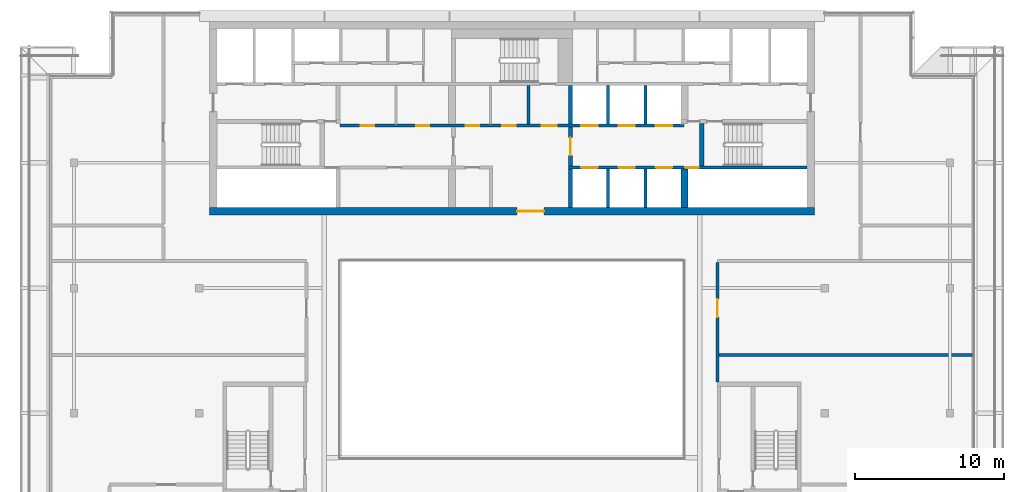
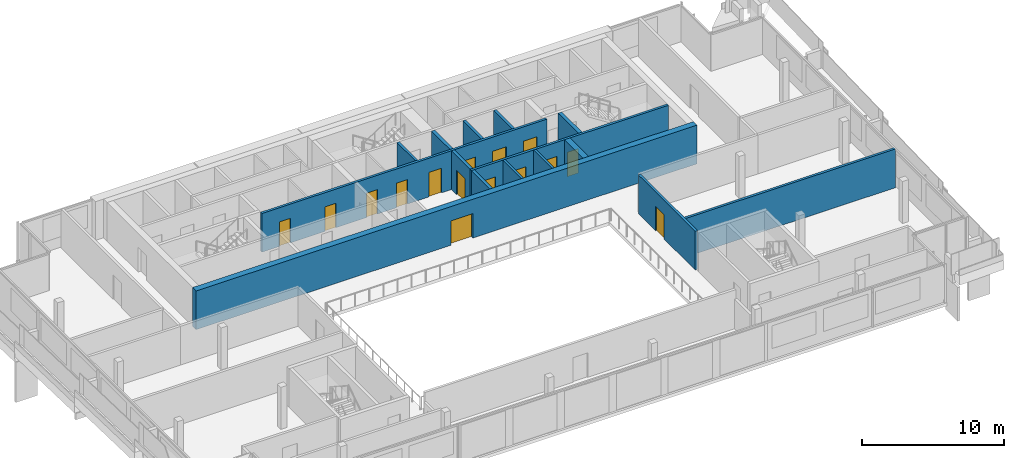
# One storey, part 12 of 20: 15 doors, 15 walls, 15 openings.
"""IFC4 building model written with IfcOpenShell, lengths in metres."""

from ifc_helpers import new_model, si_unit, direction, frame, frame_2d, origin, place, context, subcontext, project, spatial, rectangle, extrude, material, layer, layer_set, type_object, element, fill, save


model = new_model("IFC4")

# Units and contexts
model_context = context("Model", 3, precision=1e-05, world=origin(), true_north=direction((0.0, 1.0)))
body_context = subcontext(model_context, "Body", "Model", "MODEL_VIEW")
ifc_project = project(units=[si_unit("LENGTHUNIT", "METRE"), si_unit("AREAUNIT", "SQUARE_METRE"), si_unit("VOLUMEUNIT", "CUBIC_METRE"), si_unit("PLANEANGLEUNIT", "RADIAN"), si_unit("MASSUNIT", "GRAM", prefix="KILO")], contexts=[model_context])

# Site, building, storey
site_placement = place(None, origin())
site = spatial("IfcSite", under=ifc_project, at=site_placement, CompositionType="ELEMENT")
building_placement = place(site_placement, origin())
building = spatial("IfcBuilding", under=site, at=building_placement, Name="Saffron Gate Tower", CompositionType="ELEMENT")
storey_placement = place(building_placement, frame((0.0, 0.0, 303.14990234375)))
storey = spatial("IfcBuildingStorey", under=building, at=storey_placement, Name="L74", CompositionType="ELEMENT", Elevation=303.14990234375)

# Wall
ifc_material_1 = material(Name="Gypsum board partition on steel studs", Category="steel")
ifc_layer_1 = layer(ifc_material_1, 0.199951171875)
ifc_layer_set_1 = layer_set([ifc_layer_1], Name="CW10 Core partition 200")
wall_type_1 = type_object("IfcWallType", Name="CW10 Core partition 200", PredefinedType="PARTITIONING", material=ifc_layer_set_1)
wall_1_placement = place(storey_placement, frame((88.699951171875, 68.0, 0.0), z_axis=(0.0, 0.0, 1.0), x_axis=(0.0, 1.0, 0.0)))
element("IfcWall", 1, at=wall_1_placement, inside=storey, type_object=wall_type_1, Name="Wall CW10-L74-22", PredefinedType="PARTITIONING", context=body_context, shape_type="SweptSolid", body=[
    extrude(rectangle(XDim=2.60009765625, YDim=0.199951171875, at=frame_2d((1.300048828125, 0.0))), origin(), (0.0, 0.0, 1.0), 3.320068359375),
])

# Wall, opening, door
ifc_material_2 = material(Name="Concrete C50", Category="concrete")
ifc_layer_2 = layer(ifc_material_2, 0.5)
ifc_layer_set_2 = layer_set([ifc_layer_2], Name="CW22 RC core wall 500 C50")
wall_type_2 = type_object("IfcWallType", Name="CW22 RC core wall 500 C50", PredefinedType="SOLIDWALL", material=ifc_layer_set_2)
wall_2_placement = place(storey_placement, frame((67.300048828125, 62.14990234375, 0.0), z_axis=(0.0, 0.0, 1.0), x_axis=(1.0, 0.0, 0.0)))
wall_2 = element("IfcWall", 2, at=wall_2_placement, inside=storey, type_object=wall_type_2, Name="Wall CW22-L74-1", PredefinedType="SOLIDWALL", context=body_context, shape_type="SweptSolid", body=[
    extrude(rectangle(XDim=40.599853515625, YDim=0.5, at=frame_2d((20.2998046875, 0.0))), origin(), (0.0, 0.0, 1.0), 3.320068359375),
])
opening_1_placement = place(wall_2_placement, frame((20.64990234375, 0.0, 0.0)))
opening_1 = element("IfcOpeningElement", 3, at=opening_1_placement, cuts=wall_2, Name="Opening CR-09", PredefinedType="OPENING", context=body_context, shape_type="SweptSolid", body=[
    extrude(rectangle(XDim=1.800048828125, YDim=2.10009765625, at=frame_2d((0.89990234375, 1.050048828125))), frame((0.0, 0.260009765625, 0.0), z_axis=(0.0, -1.0, 0.0), x_axis=(1.0, 0.0, 0.0)), (0.0, 0.0, 1.0), 0.52001953125),
])
ifc_material_3 = material(Name="Steel fire door set", Category="steel")
door_type_1 = type_object("IfcDoorType", Name="CD1 Core entrance door 1800x2100 EI 120", OperationType="NOTDEFINED", PredefinedType="DOOR", material=ifc_material_3)
door_1_placement = place(opening_1_placement, origin())
door_1 = element("IfcDoor", 4, at=door_1_placement, inside=storey, type_object=door_type_1, Name="DOOR CR-09", OperationType="DOUBLE_DOOR_SINGLE_SWING", OverallHeight=2.10009765625, OverallWidth=1.800048828125, PredefinedType="DOOR", context=body_context, shape_type="SweptSolid", body=[
    extrude(rectangle(XDim=1.800048828125, YDim=2.10009765625, at=frame_2d((0.89990234375, 1.050048828125))), frame((0.0, 0.02490234375, 0.0), z_axis=(0.0, -1.0, 0.0), x_axis=(1.0, 0.0, 0.0)), (0.0, 0.0, 1.0), 0.050048828125),
])
fill(opening_1, door_1)

# Wall
ifc_layer_3 = layer(ifc_material_2, 0.25)
ifc_layer_set_3 = layer_set([ifc_layer_3], Name="CW23 RC core wall 250 C50")
wall_type_3 = type_object("IfcWallType", Name="CW23 RC core wall 250 C50", PredefinedType="SOLIDWALL", material=ifc_layer_set_3)
wall_3_placement = place(storey_placement, frame((91.52490234375, 62.39990234375, 0.0), z_axis=(0.0, 0.0, 1.0), x_axis=(0.0, 1.0, 0.0)))
element("IfcWall", 5, at=wall_3_placement, inside=storey, type_object=wall_type_3, Name="Wall CW23-L74-8", PredefinedType="SOLIDWALL", context=body_context, shape_type="SweptSolid", body=[
    extrude(rectangle(XDim=2.60009765625, YDim=0.25, at=frame_2d((1.300048828125, 0.0))), origin(), (0.0, 0.0, 1.0), 3.320068359375),
])

# Wall, opening, door
wall_4_placement = place(storey_placement, frame((91.52490234375, 65.199951171875, 0.0), z_axis=(0.0, 0.0, 1.0), x_axis=(0.0, 1.0, 0.0)))
wall_4 = element("IfcWall", 6, at=wall_4_placement, inside=storey, type_object=wall_type_3, Name="Wall CW23-L74-16", PredefinedType="SOLIDWALL", context=body_context, shape_type="SweptSolid", body=[
    extrude(rectangle(XDim=2.60009765625, YDim=0.25, at=frame_2d((1.300048828125, 0.0))), origin(), (0.0, 0.0, 1.0), 3.320068359375),
])
opening_2_placement = place(wall_4_placement, frame((0.699951171875, 0.0, 0.0)))
opening_2 = element("IfcOpeningElement", 7, at=opening_2_placement, cuts=wall_4, Name="Opening CR-01", PredefinedType="OPENING", context=body_context, shape_type="SweptSolid", body=[
    extrude(rectangle(XDim=1.199951171875, YDim=2.10009765625, at=frame_2d((0.60009765625, 1.050048828125))), frame((0.0, 0.135009765625, 0.0), z_axis=(0.0, -1.0, 0.0), x_axis=(1.0, 0.0, 0.0)), (0.0, 0.0, 1.0), 0.27001953125),
])
door_type_2 = type_object("IfcDoorType", Name="CD3 Lobby door 1200x2100 EI 120", OperationType="NOTDEFINED", PredefinedType="DOOR", material=ifc_material_3)
door_2_placement = place(opening_2_placement, origin())
door_2 = element("IfcDoor", 8, at=door_2_placement, inside=storey, type_object=door_type_2, Name="DOOR CR-01", OperationType="SINGLE_SWING_RIGHT", OverallHeight=2.10009765625, OverallWidth=1.199951171875, PredefinedType="DOOR", context=body_context, shape_type="SweptSolid", body=[
    extrude(rectangle(XDim=1.199951171875, YDim=2.10009765625, at=frame_2d((0.60009765625, 1.050048828125))), frame((0.0, 0.02490234375, 0.0), z_axis=(0.0, -1.0, 0.0), x_axis=(1.0, 0.0, 0.0)), (0.0, 0.0, 1.0), 0.050048828125),
])
fill(opening_2, door_2)

# Walls
wall_5_placement = place(storey_placement, frame((91.52490234375, 68.0, 0.0), z_axis=(0.0, 0.0, 1.0), x_axis=(0.0, 1.0, 0.0)))
element("IfcWall", 9, at=wall_5_placement, inside=storey, type_object=wall_type_3, Name="Wall CW23-L74-23", PredefinedType="SOLIDWALL", context=body_context, shape_type="SweptSolid", body=[
    extrude(rectangle(XDim=2.60009765625, YDim=0.25, at=frame_2d((1.300048828125, 0.0))), origin(), (0.0, 0.0, 1.0), 3.320068359375),
])
ifc_layer_4 = layer(ifc_material_2, 0.449951171875)
ifc_layer_set_4 = layer_set([ifc_layer_4], Name="CW24 RC core wall 450 C50")
wall_type_4 = type_object("IfcWallType", Name="CW24 RC core wall 450 C50", PredefinedType="SOLIDWALL", material=ifc_layer_set_4)
wall_6_placement = place(storey_placement, frame((99.175048828125, 62.39990234375, 0.0), z_axis=(0.0, 0.0, 1.0), x_axis=(0.0, 1.0, 0.0)))
element("IfcWall", 10, at=wall_6_placement, inside=storey, type_object=wall_type_4, Name="Wall CW24-L74-11", PredefinedType="SOLIDWALL", context=body_context, shape_type="SweptSolid", body=[
    extrude(rectangle(XDim=2.60009765625, YDim=0.449951171875, at=frame_2d((1.300048828125, 0.0))), origin(), (0.0, 0.0, 1.0), 3.320068359375),
])
ifc_layer_5 = layer(ifc_material_2, 0.199951171875)
ifc_layer_set_5 = layer_set([ifc_layer_5], Name="CW25 RC core wall 200 C50")
wall_type_5 = type_object("IfcWallType", Name="CW25 RC core wall 200 C50", PredefinedType="SOLIDWALL", material=ifc_layer_set_5)
for number, where, z_axis, x_axis, name in (
    (11, (94.050048828125, 62.39990234375, 0.0), (0.0, 0.0, 1.0), (0.0, 1.0, 0.0), "Wall CW25-L74-9"),
    (12, (96.550048828125, 62.39990234375, 0.0), (0.0, 0.0, 1.0), (0.0, 1.0, 0.0), "Wall CW25-L74-10"),
):
    element("IfcWall", number, at=place(storey_placement, frame(where, z_axis=z_axis, x_axis=x_axis)), inside=storey, type_object=wall_type_5, Name=name, PredefinedType="SOLIDWALL", context=body_context, shape_type="SweptSolid", body=[
        extrude(rectangle(XDim=2.60009765625, YDim=0.199951171875, at=frame_2d((1.300048828125, 0.0))), origin(), (0.0, 0.0, 1.0), 3.320068359375),
    ])

# Wall, openings, doors
wall_7_placement = place(storey_placement, frame((91.39990234375, 65.10009765625, 0.0), z_axis=(0.0, 0.0, 1.0), x_axis=(1.0, 0.0, 0.0)))
wall_7 = element("IfcWall", 13, at=wall_7_placement, inside=storey, type_object=wall_type_5, Name="Wall CW25-L74-13", PredefinedType="SOLIDWALL", context=body_context, shape_type="SweptSolid", body=[
    extrude(rectangle(XDim=16.0, YDim=0.199951171875, at=frame_2d((8.0, 0.0))), origin(), (0.0, 0.0, 1.0), 3.320068359375),
])
opening_3_placement = place(wall_7_placement, frame((0.85009765625, 0.0, 0.0)))
opening_3 = element("IfcOpeningElement", 14, at=opening_3_placement, cuts=wall_7, Name="Opening LD-HR1", PredefinedType="OPENING", context=body_context, shape_type="SweptSolid", body=[
    extrude(rectangle(XDim=1.10009765625, YDim=2.10009765625, at=frame_2d((0.550048828125, 1.050048828125))), frame((0.0, 0.10986328125, 0.0), z_axis=(0.0, -1.0, 0.0), x_axis=(1.0, 0.0, 0.0)), (0.0, 0.0, 1.0), 0.219970703125),
])
opening_4_placement = place(wall_7_placement, frame((3.35009765625, 0.0, 0.0)))
opening_4 = element("IfcOpeningElement", 15, at=opening_4_placement, cuts=wall_7, Name="Opening LD-HR2", PredefinedType="OPENING", context=body_context, shape_type="SweptSolid", body=[
    extrude(rectangle(XDim=1.10009765625, YDim=2.10009765625, at=frame_2d((0.550048828125, 1.050048828125))), frame((0.0, 0.10986328125, 0.0), z_axis=(0.0, -1.0, 0.0), x_axis=(1.0, 0.0, 0.0)), (0.0, 0.0, 1.0), 0.219970703125),
])
opening_5_placement = place(wall_7_placement, frame((5.85009765625, 0.0, 0.0)))
opening_5 = element("IfcOpeningElement", 16, at=opening_5_placement, cuts=wall_7, Name="Opening LD-HR3", PredefinedType="OPENING", context=body_context, shape_type="SweptSolid", body=[
    extrude(rectangle(XDim=1.10009765625, YDim=2.10009765625, at=frame_2d((0.550048828125, 1.050048828125))), frame((0.0, 0.10986328125, 0.0), z_axis=(0.0, -1.0, 0.0), x_axis=(1.0, 0.0, 0.0)), (0.0, 0.0, 1.0), 0.219970703125),
])
opening_6_placement = place(wall_7_placement, frame((7.830078125, 0.0, 0.0)))
opening_6 = element("IfcOpeningElement", 17, at=opening_6_placement, cuts=wall_7, Name="Opening CR-48", PredefinedType="OPENING", context=body_context, shape_type="SweptSolid", body=[
    extrude(rectangle(XDim=0.89990234375, YDim=2.10009765625, at=frame_2d((0.449951171875, 1.050048828125))), frame((0.0, 0.10986328125, 0.0), z_axis=(0.0, -1.0, 0.0), x_axis=(1.0, 0.0, 0.0)), (0.0, 0.0, 1.0), 0.219970703125),
])
door_type_3 = type_object("IfcDoorType", Name="CD2 Riser door 900x2100 EI 60", OperationType="NOTDEFINED", PredefinedType="DOOR", material=ifc_material_3)
door_3_placement = place(opening_6_placement, origin())
door_3 = element("IfcDoor", 18, at=door_3_placement, inside=storey, type_object=door_type_3, Name="DOOR CR-48", OperationType="SINGLE_SWING_RIGHT", OverallHeight=2.10009765625, OverallWidth=0.89990234375, PredefinedType="DOOR", context=body_context, shape_type="SweptSolid", body=[
    extrude(rectangle(XDim=0.89990234375, YDim=2.10009765625, at=frame_2d((0.449951171875, 1.050048828125))), frame((0.0, 0.02490234375, 0.0), z_axis=(0.0, -1.0, 0.0), x_axis=(1.0, 0.0, 0.0)), (0.0, 0.0, 1.0), 0.050048828125),
])
fill(opening_6, door_3)
ifc_material_4 = material(Name="Stainless steel landing door", Category="steel")
door_type_4 = type_object("IfcDoorType", Name="LD Lift landing door 1100x2100 EI 120", OperationType="SLIDING_TO_LEFT", PredefinedType="DOOR", material=ifc_material_4)
door_4_placement = place(opening_3_placement, origin())
door_4 = element("IfcDoor", 19, at=door_4_placement, inside=storey, type_object=door_type_4, Name="LANDING DOOR LD-HR1", OperationType="SLIDING_TO_LEFT", OverallHeight=2.10009765625, OverallWidth=1.10009765625, PredefinedType="DOOR", context=body_context, shape_type="SweptSolid", body=[
    extrude(rectangle(XDim=1.10009765625, YDim=2.10009765625, at=frame_2d((0.550048828125, 1.050048828125))), frame((0.0, 0.02490234375, 0.0), z_axis=(0.0, -1.0, 0.0), x_axis=(1.0, 0.0, 0.0)), (0.0, 0.0, 1.0), 0.050048828125),
])
fill(opening_3, door_4)
door_5_placement = place(opening_4_placement, origin())
door_5 = element("IfcDoor", 20, at=door_5_placement, inside=storey, type_object=door_type_4, Name="LANDING DOOR LD-HR2", OperationType="SLIDING_TO_LEFT", OverallHeight=2.10009765625, OverallWidth=1.10009765625, PredefinedType="DOOR", context=body_context, shape_type="SweptSolid", body=[
    extrude(rectangle(XDim=1.10009765625, YDim=2.10009765625, at=frame_2d((0.550048828125, 1.050048828125))), frame((0.0, 0.02490234375, 0.0), z_axis=(0.0, -1.0, 0.0), x_axis=(1.0, 0.0, 0.0)), (0.0, 0.0, 1.0), 0.050048828125),
])
fill(opening_4, door_5)
door_6_placement = place(opening_5_placement, origin())
door_6 = element("IfcDoor", 21, at=door_6_placement, inside=storey, type_object=door_type_4, Name="LANDING DOOR LD-HR3", OperationType="SLIDING_TO_LEFT", OverallHeight=2.10009765625, OverallWidth=1.10009765625, PredefinedType="DOOR", context=body_context, shape_type="SweptSolid", body=[
    extrude(rectangle(XDim=1.10009765625, YDim=2.10009765625, at=frame_2d((0.550048828125, 1.050048828125))), frame((0.0, 0.02490234375, 0.0), z_axis=(0.0, -1.0, 0.0), x_axis=(1.0, 0.0, 0.0)), (0.0, 0.0, 1.0), 0.050048828125),
])
fill(opening_5, door_6)

wall_8_placement = place(storey_placement, frame((76.050048828125, 67.89990234375, 0.0), z_axis=(0.0, 0.0, 1.0), x_axis=(1.0, 0.0, 0.0)))
wall_8 = element("IfcWall", 22, at=wall_8_placement, inside=storey, type_object=wall_type_5, Name="Wall CW25-L74-18", PredefinedType="SOLIDWALL", context=body_context, shape_type="SweptSolid", body=[
    extrude(rectangle(XDim=23.099853515625, YDim=0.199951171875, at=frame_2d((11.5498046875, 0.0))), origin(), (0.0, 0.0, 1.0), 3.320068359375),
])
opening_7_placement = place(wall_8_placement, frame((1.39990234375, 0.0, 0.0)))
opening_7 = element("IfcOpeningElement", 23, at=opening_7_placement, cuts=wall_8, Name="Opening CR-61", PredefinedType="OPENING", context=body_context, shape_type="SweptSolid", body=[
    extrude(rectangle(XDim=0.89990234375, YDim=2.10009765625, at=frame_2d((0.449951171875, 1.050048828125))), frame((0.0, 0.10986328125, 0.0), z_axis=(0.0, -1.0, 0.0), x_axis=(1.0, 0.0, 0.0)), (0.0, 0.0, 1.0), 0.219970703125),
])
opening_8_placement = place(wall_8_placement, frame((5.110107421875, 0.0, 0.0)))
opening_8 = element("IfcOpeningElement", 24, at=opening_8_placement, cuts=wall_8, Name="Opening CR-62", PredefinedType="OPENING", context=body_context, shape_type="SweptSolid", body=[
    extrude(rectangle(XDim=0.89990234375, YDim=2.10009765625, at=frame_2d((0.449951171875, 1.050048828125))), frame((0.0, 0.10986328125, 0.0), z_axis=(0.0, -1.0, 0.0), x_axis=(1.0, 0.0, 0.0)), (0.0, 0.0, 1.0), 0.219970703125),
])
opening_9_placement = place(wall_8_placement, frame((8.449951171875, 0.0, 0.0)))
opening_9 = element("IfcOpeningElement", 25, at=opening_9_placement, cuts=wall_8, Name="Opening CR-67", PredefinedType="OPENING", context=body_context, shape_type="SweptSolid", body=[
    extrude(rectangle(XDim=0.89990234375, YDim=2.10009765625, at=frame_2d((0.449951171875, 1.050048828125))), frame((0.0, 0.10986328125, 0.0), z_axis=(0.0, -1.0, 0.0), x_axis=(1.0, 0.0, 0.0)), (0.0, 0.0, 1.0), 0.219970703125),
])
opening_10_placement = place(wall_8_placement, frame((10.909912109375, 0.0, 0.0)))
opening_10 = element("IfcOpeningElement", 26, at=opening_10_placement, cuts=wall_8, Name="Opening CR-68", PredefinedType="OPENING", context=body_context, shape_type="SweptSolid", body=[
    extrude(rectangle(XDim=0.89990234375, YDim=2.10009765625, at=frame_2d((0.449951171875, 1.050048828125))), frame((0.0, 0.10986328125, 0.0), z_axis=(0.0, -1.0, 0.0), x_axis=(1.0, 0.0, 0.0)), (0.0, 0.0, 1.0), 0.219970703125),
])
opening_11_placement = place(wall_8_placement, frame((13.550048828125, 0.0, 0.0)))
opening_11 = element("IfcOpeningElement", 27, at=opening_11_placement, cuts=wall_8, Name="Opening CR-02", PredefinedType="OPENING", context=body_context, shape_type="SweptSolid", body=[
    extrude(rectangle(XDim=1.0, YDim=2.10009765625, at=frame_2d((0.5, 1.050048828125))), frame((0.0, 0.10986328125, 0.0), z_axis=(0.0, -1.0, 0.0), x_axis=(1.0, 0.0, 0.0)), (0.0, 0.0, 1.0), 0.219970703125),
])
opening_12_placement = place(wall_8_placement, frame((16.199951171875, 0.0, 0.0)))
opening_12 = element("IfcOpeningElement", 28, at=opening_12_placement, cuts=wall_8, Name="Opening LD-HR4", PredefinedType="OPENING", context=body_context, shape_type="SweptSolid", body=[
    extrude(rectangle(XDim=1.10009765625, YDim=2.10009765625, at=frame_2d((0.550048828125, 1.050048828125))), frame((0.0, 0.10986328125, 0.0), z_axis=(0.0, -1.0, 0.0), x_axis=(1.0, 0.0, 0.0)), (0.0, 0.0, 1.0), 0.219970703125),
])
opening_13_placement = place(wall_8_placement, frame((18.699951171875, 0.0, 0.0)))
opening_13 = element("IfcOpeningElement", 29, at=opening_13_placement, cuts=wall_8, Name="Opening LD-HR5", PredefinedType="OPENING", context=body_context, shape_type="SweptSolid", body=[
    extrude(rectangle(XDim=1.10009765625, YDim=2.10009765625, at=frame_2d((0.550048828125, 1.050048828125))), frame((0.0, 0.10986328125, 0.0), z_axis=(0.0, -1.0, 0.0), x_axis=(1.0, 0.0, 0.0)), (0.0, 0.0, 1.0), 0.219970703125),
])
opening_14_placement = place(wall_8_placement, frame((21.199951171875, 0.0, 0.0)))
opening_14 = element("IfcOpeningElement", 30, at=opening_14_placement, cuts=wall_8, Name="Opening LD-HR6", PredefinedType="OPENING", context=body_context, shape_type="SweptSolid", body=[
    extrude(rectangle(XDim=1.10009765625, YDim=2.10009765625, at=frame_2d((0.550048828125, 1.050048828125))), frame((0.0, 0.10986328125, 0.0), z_axis=(0.0, -1.0, 0.0), x_axis=(1.0, 0.0, 0.0)), (0.0, 0.0, 1.0), 0.219970703125),
])
door_type_5 = type_object("IfcDoorType", Name="CD4 Lobby door 1000x2100 EI 120", OperationType="NOTDEFINED", PredefinedType="DOOR", material=ifc_material_3)
door_7_placement = place(opening_11_placement, origin())
door_7 = element("IfcDoor", 31, at=door_7_placement, inside=storey, type_object=door_type_5, Name="DOOR CR-02", OperationType="SINGLE_SWING_LEFT", OverallHeight=2.10009765625, OverallWidth=1.0, PredefinedType="DOOR", context=body_context, shape_type="SweptSolid", body=[
    extrude(rectangle(XDim=1.0, YDim=2.10009765625, at=frame_2d((0.5, 1.050048828125))), frame((0.0, 0.02490234375, 0.0), z_axis=(0.0, -1.0, 0.0), x_axis=(1.0, 0.0, 0.0)), (0.0, 0.0, 1.0), 0.050048828125),
])
fill(opening_11, door_7)
door_type_6 = type_object("IfcDoorType", Name="CD9 Room door 900x2100 EI 60", OperationType="NOTDEFINED", PredefinedType="DOOR", material=ifc_material_3)
door_8_placement = place(opening_7_placement, origin())
door_8 = element("IfcDoor", 32, at=door_8_placement, inside=storey, type_object=door_type_6, Name="DOOR CR-61", OperationType="SINGLE_SWING_LEFT", OverallHeight=2.10009765625, OverallWidth=0.89990234375, PredefinedType="DOOR", context=body_context, shape_type="SweptSolid", body=[
    extrude(rectangle(XDim=0.89990234375, YDim=2.10009765625, at=frame_2d((0.449951171875, 1.050048828125))), frame((0.0, 0.02490234375, 0.0), z_axis=(0.0, -1.0, 0.0), x_axis=(1.0, 0.0, 0.0)), (0.0, 0.0, 1.0), 0.050048828125),
])
fill(opening_7, door_8)
door_9_placement = place(opening_8_placement, origin())
door_9 = element("IfcDoor", 33, at=door_9_placement, inside=storey, type_object=door_type_6, Name="DOOR CR-62", OperationType="SINGLE_SWING_LEFT", OverallHeight=2.10009765625, OverallWidth=0.89990234375, PredefinedType="DOOR", context=body_context, shape_type="SweptSolid", body=[
    extrude(rectangle(XDim=0.89990234375, YDim=2.10009765625, at=frame_2d((0.449951171875, 1.050048828125))), frame((0.0, 0.02490234375, 0.0), z_axis=(0.0, -1.0, 0.0), x_axis=(1.0, 0.0, 0.0)), (0.0, 0.0, 1.0), 0.050048828125),
])
fill(opening_8, door_9)
door_10_placement = place(opening_9_placement, origin())
door_10 = element("IfcDoor", 34, at=door_10_placement, inside=storey, type_object=door_type_6, Name="DOOR CR-67", OperationType="SINGLE_SWING_LEFT", OverallHeight=2.10009765625, OverallWidth=0.89990234375, PredefinedType="DOOR", context=body_context, shape_type="SweptSolid", body=[
    extrude(rectangle(XDim=0.89990234375, YDim=2.10009765625, at=frame_2d((0.449951171875, 1.050048828125))), frame((0.0, 0.02490234375, 0.0), z_axis=(0.0, -1.0, 0.0), x_axis=(1.0, 0.0, 0.0)), (0.0, 0.0, 1.0), 0.050048828125),
])
fill(opening_9, door_10)
door_11_placement = place(opening_10_placement, origin())
door_11 = element("IfcDoor", 35, at=door_11_placement, inside=storey, type_object=door_type_6, Name="DOOR CR-68", OperationType="SINGLE_SWING_LEFT", OverallHeight=2.10009765625, OverallWidth=0.89990234375, PredefinedType="DOOR", context=body_context, shape_type="SweptSolid", body=[
    extrude(rectangle(XDim=0.89990234375, YDim=2.10009765625, at=frame_2d((0.449951171875, 1.050048828125))), frame((0.0, 0.02490234375, 0.0), z_axis=(0.0, -1.0, 0.0), x_axis=(1.0, 0.0, 0.0)), (0.0, 0.0, 1.0), 0.050048828125),
])
fill(opening_10, door_11)
door_12_placement = place(opening_12_placement, origin())
door_12 = element("IfcDoor", 36, at=door_12_placement, inside=storey, type_object=door_type_4, Name="LANDING DOOR LD-HR4", OperationType="SLIDING_TO_RIGHT", OverallHeight=2.10009765625, OverallWidth=1.10009765625, PredefinedType="DOOR", context=body_context, shape_type="SweptSolid", body=[
    extrude(rectangle(XDim=1.10009765625, YDim=2.10009765625, at=frame_2d((0.550048828125, 1.050048828125))), frame((0.0, 0.02490234375, 0.0), z_axis=(0.0, -1.0, 0.0), x_axis=(1.0, 0.0, 0.0)), (0.0, 0.0, 1.0), 0.050048828125),
])
fill(opening_12, door_12)
door_13_placement = place(opening_13_placement, origin())
door_13 = element("IfcDoor", 37, at=door_13_placement, inside=storey, type_object=door_type_4, Name="LANDING DOOR LD-HR5", OperationType="SLIDING_TO_RIGHT", OverallHeight=2.10009765625, OverallWidth=1.10009765625, PredefinedType="DOOR", context=body_context, shape_type="SweptSolid", body=[
    extrude(rectangle(XDim=1.10009765625, YDim=2.10009765625, at=frame_2d((0.550048828125, 1.050048828125))), frame((0.0, 0.02490234375, 0.0), z_axis=(0.0, -1.0, 0.0), x_axis=(1.0, 0.0, 0.0)), (0.0, 0.0, 1.0), 0.050048828125),
])
fill(opening_13, door_13)
door_14_placement = place(opening_14_placement, origin())
door_14 = element("IfcDoor", 38, at=door_14_placement, inside=storey, type_object=door_type_4, Name="LANDING DOOR LD-HR6", OperationType="SLIDING_TO_RIGHT", OverallHeight=2.10009765625, OverallWidth=1.10009765625, PredefinedType="DOOR", context=body_context, shape_type="SweptSolid", body=[
    extrude(rectangle(XDim=1.10009765625, YDim=2.10009765625, at=frame_2d((0.550048828125, 1.050048828125))), frame((0.0, 0.02490234375, 0.0), z_axis=(0.0, -1.0, 0.0), x_axis=(1.0, 0.0, 0.0)), (0.0, 0.0, 1.0), 0.050048828125),
])
fill(opening_14, door_14)

# Walls
for number, where, z_axis, x_axis, name in (
    (39, (94.050048828125, 68.0, 0.0), (0.0, 0.0, 1.0), (0.0, 1.0, 0.0), "Wall CW25-L74-24"),
    (40, (96.550048828125, 68.0, 0.0), (0.0, 0.0, 1.0), (0.0, 1.0, 0.0), "Wall CW25-L74-25"),
):
    element("IfcWall", number, at=place(storey_placement, frame(where, z_axis=z_axis, x_axis=x_axis)), inside=storey, type_object=wall_type_5, Name=name, PredefinedType="SOLIDWALL", context=body_context, shape_type="SweptSolid", body=[
        extrude(rectangle(XDim=2.60009765625, YDim=0.199951171875, at=frame_2d((1.300048828125, 0.0))), origin(), (0.0, 0.0, 1.0), 3.320068359375),
    ])
ifc_layer_6 = layer(ifc_material_2, 0.300048828125)
ifc_layer_set_6 = layer_set([ifc_layer_6], Name="CW26 RC core wall 300 C50")
wall_type_6 = type_object("IfcWallType", Name="CW26 RC core wall 300 C50", PredefinedType="SOLIDWALL", material=ifc_layer_set_6)
wall_9_placement = place(storey_placement, frame((100.35009765625, 65.199951171875, 0.0), z_axis=(0.0, 0.0, 1.0), x_axis=(0.0, 1.0, 0.0)))
element("IfcWall", 41, at=wall_9_placement, inside=storey, type_object=wall_type_6, Name="Wall CW26-L74-17", PredefinedType="SOLIDWALL", context=body_context, shape_type="SweptSolid", body=[
    extrude(rectangle(XDim=2.85009765625, YDim=0.300048828125, at=frame_2d((1.425048828125, 0.0))), origin(), (0.0, 0.0, 1.0), 3.320068359375),
])

# Wall, opening, door
ifc_material_5 = material(Name="Clay brick masonry, rendered", Category="masonry")
ifc_layer_7 = layer(ifc_material_5, 0.199951171875)
ifc_layer_set_7 = layer_set([ifc_layer_7], Name="PW3 Corridor wall 200")
wall_type_7 = type_object("IfcWallType", Name="PW3 Corridor wall 200", PredefinedType="PARTITIONING", material=ifc_layer_set_7)
wall_10_placement = place(storey_placement, frame((101.39990234375, 58.699951171875, 0.0), z_axis=(0.0, 0.0, 1.0), x_axis=(0.0, -1.0, 0.0)))
wall_10 = element("IfcWall", 42, at=wall_10_placement, inside=storey, type_object=wall_type_7, Name="Wall E6-20", PredefinedType="PARTITIONING", context=body_context, shape_type="SweptSolid", body=[
    extrude(rectangle(XDim=8.0, YDim=0.199951171875, at=frame_2d((4.0, 0.0))), origin(), (0.0, 0.0, 1.0), 3.320068359375),
])
opening_15_placement = place(wall_10_placement, frame((2.449951171875, 0.0, 0.0)))
opening_15 = element("IfcOpeningElement", 43, at=opening_15_placement, cuts=wall_10, Name="Opening E6-3", PredefinedType="OPENING", context=body_context, shape_type="SweptSolid", body=[
    extrude(rectangle(XDim=1.199951171875, YDim=2.10009765625, at=frame_2d((0.60009765625, 1.050048828125))), frame((0.0, 0.10986328125, 0.0), z_axis=(0.0, -1.0, 0.0), x_axis=(1.0, 0.0, 0.0)), (0.0, 0.0, 1.0), 0.219970703125),
])
ifc_material_6 = material(Name="Timber door set", Category="wood")
door_type_7 = type_object("IfcDoorType", Name="HD1 Hall door 1200x2100", OperationType="NOTDEFINED", PredefinedType="DOOR", material=ifc_material_6)
door_15_placement = place(opening_15_placement, origin())
door_15 = element("IfcDoor", 44, at=door_15_placement, inside=storey, type_object=door_type_7, Name="Door E6-3", OperationType="SINGLE_SWING_LEFT", OverallHeight=2.10009765625, OverallWidth=1.199951171875, PredefinedType="DOOR", context=body_context, shape_type="SweptSolid", body=[
    extrude(rectangle(XDim=1.199951171875, YDim=2.10009765625, at=frame_2d((0.60009765625, 1.050048828125))), frame((0.0, 0.02490234375, 0.0), z_axis=(0.0, -1.0, 0.0), x_axis=(1.0, 0.0, 0.0)), (0.0, 0.0, 1.0), 0.050048828125),
])
fill(opening_15, door_15)

# Wall
ifc_layer_8 = layer(ifc_material_5, 0.199951171875)
ifc_layer_set_8 = layer_set([ifc_layer_8], Name="PW5 Room wall 200")
wall_type_8 = type_object("IfcWallType", Name="PW5 Room wall 200", PredefinedType="PARTITIONING", material=ifc_layer_set_8)
wall_11_placement = place(storey_placement, frame((101.5, 52.5, 0.0), z_axis=(0.0, 0.0, 1.0), x_axis=(1.0, 0.0, 0.0)))
element("IfcWall", 45, at=wall_11_placement, inside=storey, type_object=wall_type_8, Name="Wall E6-7", PredefinedType="PARTITIONING", context=body_context, shape_type="SweptSolid", body=[
    extrude(rectangle(XDim=17.02001953125, YDim=0.199951171875, at=frame_2d((8.510009765625, 0.0))), origin(), (0.0, 0.0, 1.0), 3.320068359375),
])

save(model, "model.ifc")
